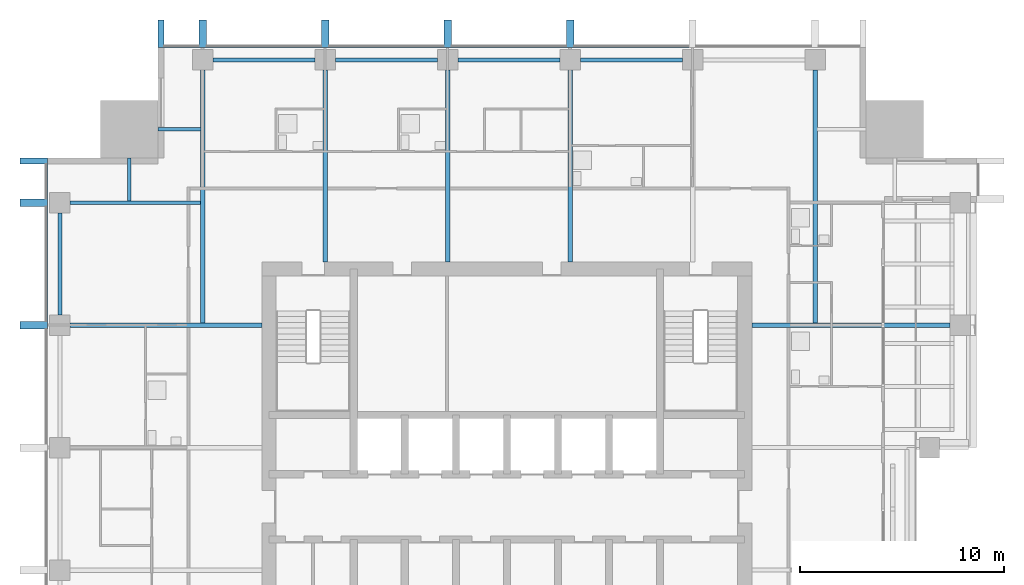
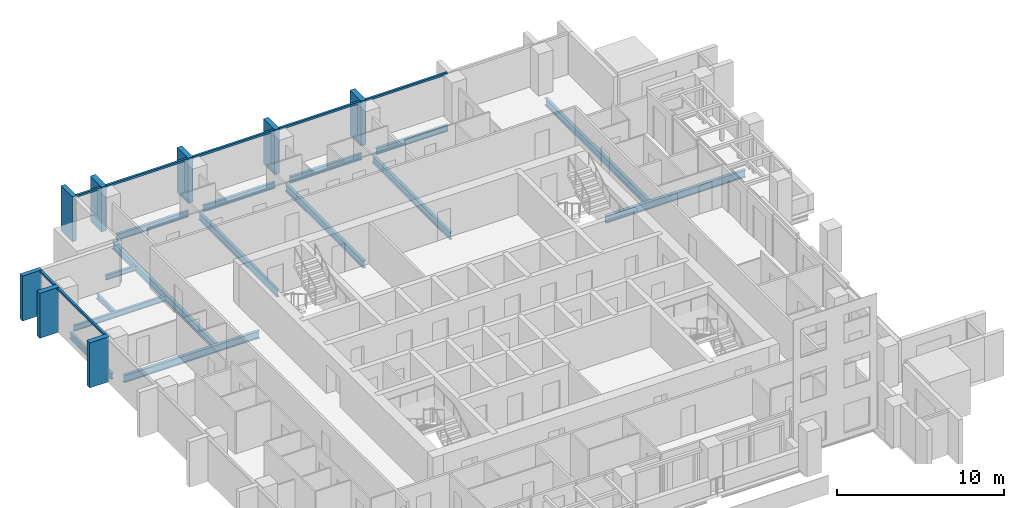
# One storey, part 5 of 16: 15 beams, 15 members, 2 elements without a shape of their own.
"""IFC4 building model written with IfcOpenShell, lengths in metres."""

from ifc_helpers import new_model, si_unit, direction, frame, origin, origin_2d, place, context, subcontext, project, spatial, rectangle, i_section, extrude, material, material_profile, profile_set, type_object, element, aggregate, save


model = new_model("IFC4")

# Units and contexts
model_context = context("Model", 3, precision=1e-05, world=origin(), true_north=direction((0.0, 1.0)))
body_context = subcontext(model_context, "Body", "Model", "MODEL_VIEW")
ifc_project = project(units=[si_unit("LENGTHUNIT", "METRE"), si_unit("AREAUNIT", "SQUARE_METRE"), si_unit("VOLUMEUNIT", "CUBIC_METRE"), si_unit("PLANEANGLEUNIT", "RADIAN"), si_unit("MASSUNIT", "GRAM", prefix="KILO")], contexts=[model_context])

# Site, building, storey
site_placement = place(None, origin())
site = spatial("IfcSite", under=ifc_project, at=site_placement, CompositionType="ELEMENT")
building_placement = place(site_placement, origin())
building = spatial("IfcBuilding", under=site, at=building_placement, Name="Amberfall Residences", CompositionType="ELEMENT")
storey_placement = place(building_placement, frame((0.0, 0.0, 164.800048828125)))
storey = spatial("IfcBuildingStorey", under=building, at=storey_placement, Name="L44", CompositionType="ELEMENT", Elevation=164.800048828125)

# Curtain wall, members
ifc_material_1 = material(Name="Bronze anodised aluminium and glass", Category="aluminium")
curtain_wall_type = type_object("IfcCurtainWallType", Name="Curtain wall CW1 tower unit", PredefinedType="USERDEFINED", material=ifc_material_1)
curtain_wall_1_placement = place(storey_placement, origin())
curtain_wall_1 = element("IfcCurtainWall", 1, at=curtain_wall_1_placement, inside=storey, type_object=curtain_wall_type, Name="Curtain wall L44 N N1", ObjectType="UNITISED CURTAIN WALL", PredefinedType="USERDEFINED")
ifc_material_2 = material(Name="Bronze anodised aluminium", Category="aluminium")
ifc_material_profile_1 = material_profile(ifc_material_2, rectangle(XDim=0.14990234375, YDim=0.14990234375, at=origin_2d()), Name="CW1 transom 150 x 150 bronze")
ifc_profile_set_1 = profile_set([ifc_material_profile_1], Name="Bronze anodised aluminium")
member_type_1 = type_object("IfcMemberType", Name="CW1 transom 150 x 150 bronze", PredefinedType="USERDEFINED", material=ifc_profile_set_1)
member_1_placement = place(storey_placement, frame((83.425048828125, 68.074951171875, 2.974853515625), z_axis=(-1.0, 0.0, 0.0), x_axis=(0.0, -1.0, 0.0)))
member_1 = element("IfcMember", 2, at=member_1_placement, type_object=member_type_1, Name="CW1 transom 3.1", ObjectType="TRANSOM", PredefinedType="USERDEFINED", context=body_context, shape_type="SweptSolid", body=[
    extrude(rectangle(XDim=0.14990234375, YDim=0.14990234375, at=origin_2d()), origin(), (0.0, 0.0, 1.0), 5.650146484375),
])
member_2_placement = place(storey_placement, frame((77.425048828125, 68.074951171875, 2.974853515625), z_axis=(-1.0, 0.0, 0.0), x_axis=(0.0, -1.0, 0.0)))
member_2 = element("IfcMember", 3, at=member_2_placement, type_object=member_type_1, Name="CW1 transom 4.1", ObjectType="TRANSOM", PredefinedType="USERDEFINED", context=body_context, shape_type="SweptSolid", body=[
    extrude(rectangle(XDim=0.14990234375, YDim=0.14990234375, at=origin_2d()), origin(), (0.0, 0.0, 1.0), 5.650146484375),
])
member_3_placement = place(storey_placement, frame((71.425048828125, 68.074951171875, 2.974853515625), z_axis=(-1.0, 0.0, 0.0), x_axis=(0.0, -1.0, 0.0)))
member_3 = element("IfcMember", 4, at=member_3_placement, type_object=member_type_1, Name="CW1 transom 5.1", ObjectType="TRANSOM", PredefinedType="USERDEFINED", context=body_context, shape_type="SweptSolid", body=[
    extrude(rectangle(XDim=0.14990234375, YDim=0.14990234375, at=origin_2d()), origin(), (0.0, 0.0, 1.0), 5.650146484375),
])
member_4_placement = place(storey_placement, frame((65.425048828125, 68.074951171875, 2.974853515625), z_axis=(-1.0, 0.0, 0.0), x_axis=(0.0, -1.0, 0.0)))
member_4 = element("IfcMember", 5, at=member_4_placement, type_object=member_type_1, Name="CW1 transom 6.1", ObjectType="TRANSOM", PredefinedType="USERDEFINED", context=body_context, shape_type="SweptSolid", body=[
    extrude(rectangle(XDim=0.14990234375, YDim=0.14990234375, at=origin_2d()), origin(), (0.0, 0.0, 1.0), 5.650146484375),
])
member_5_placement = place(storey_placement, frame((59.425048828125, 68.074951171875, 2.974853515625), z_axis=(-1.0, 0.0, 0.0), x_axis=(0.0, -1.0, 0.0)))
member_5 = element("IfcMember", 6, at=member_5_placement, type_object=member_type_1, Name="CW1 transom 7.1", ObjectType="TRANSOM", PredefinedType="USERDEFINED", context=body_context, shape_type="SweptSolid", body=[
    extrude(rectangle(XDim=0.14990234375, YDim=0.14990234375, at=origin_2d()), origin(), (0.0, 0.0, 1.0), 1.72509765625),
])

curtain_wall_2_placement = place(storey_placement, origin())
curtain_wall_2 = element("IfcCurtainWall", 7, at=curtain_wall_2_placement, inside=storey, type_object=curtain_wall_type, Name="Curtain wall L44 W W1", ObjectType="UNITISED CURTAIN WALL", PredefinedType="USERDEFINED")
member_6_placement = place(storey_placement, frame((51.925048828125, 62.300048828125, 2.974853515625), z_axis=(0.0, -1.0, 0.0), x_axis=(1.0, 0.0, 0.0)))
member_6 = element("IfcMember", 8, at=member_6_placement, type_object=member_type_1, Name="CW1 transom 1.1", ObjectType="TRANSOM", PredefinedType="USERDEFINED", context=body_context, shape_type="SweptSolid", body=[
    extrude(rectangle(XDim=0.14990234375, YDim=0.14990234375, at=origin_2d()), origin(), (0.0, 0.0, 1.0), 1.72509765625),
])
member_7_placement = place(storey_placement, frame((51.925048828125, 60.22509765625, 2.974853515625), z_axis=(0.0, -1.0, 0.0), x_axis=(1.0, 0.0, 0.0)))
member_7 = element("IfcMember", 9, at=member_7_placement, type_object=member_type_1, Name="CW1 transom 2.1", ObjectType="TRANSOM", PredefinedType="USERDEFINED", context=body_context, shape_type="SweptSolid", body=[
    extrude(rectangle(XDim=0.14990234375, YDim=0.14990234375, at=origin_2d()), origin(), (0.0, 0.0, 1.0), 5.650146484375),
])

# Member
ifc_material_profile_2 = material_profile(ifc_material_2, rectangle(XDim=1.35009765625, YDim=0.300048828125, at=origin_2d()), Name="Corner fin 300 x 1350 bronze")
ifc_profile_set_2 = profile_set([ifc_material_profile_2], Name="Bronze anodised aluminium")
member_type_2 = type_object("IfcMemberType", Name="Corner fin 300 x 1350 bronze", PredefinedType="MULLION", material=ifc_profile_set_2)
member_8_placement = place(storey_placement, frame((57.550048828125, 68.675048828125, -0.25), z_axis=(0.0, 0.0, 1.0), x_axis=(0.0, -1.0, 0.0)))
member_8 = element("IfcMember", 10, at=member_8_placement, type_object=member_type_2, Name="CW FIN 8", PredefinedType="MULLION", context=body_context, shape_type="SweptSolid", body=[
    extrude(rectangle(XDim=1.35009765625, YDim=0.300048828125, at=origin_2d()), origin(), (0.0, 0.0, 1.0), 3.300048828125),
])

member_9_placement = place(storey_placement, frame((51.324951171875, 62.449951171875, -0.25), z_axis=(0.0, 0.0, 1.0), x_axis=(1.0, 0.0, 0.0)))
member_9 = element("IfcMember", 11, at=member_9_placement, type_object=member_type_2, Name="CW FIN 1", PredefinedType="MULLION", context=body_context, shape_type="SweptSolid", body=[
    extrude(rectangle(XDim=1.35009765625, YDim=0.300048828125, at=origin_2d()), origin(), (0.0, 0.0, 1.0), 3.300048828125),
])

# Beams
ifc_material_3 = material(Name="Steel S355", Category="steel")
ifc_material_profile_3 = material_profile(ifc_material_3, i_section(OverallWidth=0.18994140625, OverallDepth=0.453369140625, WebThickness=0.008544921875, FlangeThickness=0.0126953125, FilletRadius=0.01025390625, at=origin_2d()), Name="UB 457x191x67")
ifc_profile_set_3 = profile_set([ifc_material_profile_3], Name="Steel S355")
beam_type_1 = type_object("IfcBeamType", Name="Edge beam UB 457x191x67", PredefinedType="SPANDREL", material=ifc_profile_set_3)
for number, where, z_axis, x_axis, name in (
    (12, (60.10009765625, 67.39990234375, -0.476806640625), (1.0, 0.0, 0.0), (0.0, 1.0, 0.0), "Edge beam B1 L44 26"),
    (13, (66.10009765625, 67.39990234375, -0.476806640625), (1.0, 0.0, 0.0), (0.0, 1.0, 0.0), "Edge beam B1 L44 27"),
    (14, (72.10009765625, 67.39990234375, -0.476806640625), (1.0, 0.0, 0.0), (0.0, 1.0, 0.0), "Edge beam B1 L44 28"),
    (15, (78.10009765625, 67.39990234375, -0.476806640625), (1.0, 0.0, 0.0), (0.0, 1.0, 0.0), "Edge beam B1 L44 29"),
    (16, (52.60009765625, 54.89990234375, -0.476806640625), (0.0, 1.0, 0.0), (-1.0, 0.0, 0.0), "Edge beam B1 L44 41"),
):
    element("IfcBeam", number, at=place(storey_placement, frame(where, z_axis=z_axis, x_axis=x_axis)), inside=storey, type_object=beam_type_1, Name=name, PredefinedType="SPANDREL", context=body_context, shape_type="SweptSolid", body=[
        extrude(i_section(OverallWidth=0.18994140625, OverallDepth=0.453369140625, WebThickness=0.008544921875, FlangeThickness=0.0126953125, FilletRadius=0.01025390625, at=origin_2d()), origin(), (0.0, 0.0, 1.0), 5.0),
    ])

# Member
ifc_material_profile_4 = material_profile(ifc_material_2, rectangle(XDim=1.35009765625, YDim=0.35009765625, at=origin_2d()), Name="Fin 350 x 1350 bronze")
ifc_profile_set_4 = profile_set([ifc_material_profile_4], Name="Bronze anodised aluminium")
member_type_3 = type_object("IfcMemberType", Name="Fin 350 x 1350 bronze", PredefinedType="MULLION", material=ifc_profile_set_4)
member_10_placement = place(storey_placement, frame((77.60009765625, 68.675048828125, -0.25), z_axis=(0.0, 0.0, 1.0), x_axis=(0.0, -1.0, 0.0)))
member_10 = element("IfcMember", 17, at=member_10_placement, type_object=member_type_3, Name="CW FIN 4", PredefinedType="MULLION", context=body_context, shape_type="SweptSolid", body=[
    extrude(rectangle(XDim=1.35009765625, YDim=0.35009765625, at=origin_2d()), origin(), (0.0, 0.0, 1.0), 3.300048828125),
])

member_11_placement = place(storey_placement, frame((71.60009765625, 68.675048828125, -0.25), z_axis=(0.0, 0.0, 1.0), x_axis=(0.0, -1.0, 0.0)))
member_11 = element("IfcMember", 18, at=member_11_placement, type_object=member_type_3, Name="CW FIN 5", PredefinedType="MULLION", context=body_context, shape_type="SweptSolid", body=[
    extrude(rectangle(XDim=1.35009765625, YDim=0.35009765625, at=origin_2d()), origin(), (0.0, 0.0, 1.0), 3.300048828125),
])

member_12_placement = place(storey_placement, frame((65.60009765625, 68.675048828125, -0.25), z_axis=(0.0, 0.0, 1.0), x_axis=(0.0, -1.0, 0.0)))
member_12 = element("IfcMember", 19, at=member_12_placement, type_object=member_type_3, Name="CW FIN 6", PredefinedType="MULLION", context=body_context, shape_type="SweptSolid", body=[
    extrude(rectangle(XDim=1.35009765625, YDim=0.35009765625, at=origin_2d()), origin(), (0.0, 0.0, 1.0), 3.300048828125),
])

member_13_placement = place(storey_placement, frame((59.60009765625, 68.675048828125, -0.25), z_axis=(0.0, 0.0, 1.0), x_axis=(0.0, -1.0, 0.0)))
member_13 = element("IfcMember", 20, at=member_13_placement, type_object=member_type_3, Name="CW FIN 7", PredefinedType="MULLION", context=body_context, shape_type="SweptSolid", body=[
    extrude(rectangle(XDim=1.35009765625, YDim=0.35009765625, at=origin_2d()), origin(), (0.0, 0.0, 1.0), 3.300048828125),
])

aggregate(curtain_wall_1, [member_10, member_11, member_12, member_13, member_8, member_1, member_2, member_3, member_4, member_5])

member_14_placement = place(storey_placement, frame((51.324951171875, 60.39990234375, -0.25), z_axis=(0.0, 0.0, 1.0), x_axis=(1.0, 0.0, 0.0)))
member_14 = element("IfcMember", 21, at=member_14_placement, type_object=member_type_3, Name="CW FIN 2", PredefinedType="MULLION", context=body_context, shape_type="SweptSolid", body=[
    extrude(rectangle(XDim=1.35009765625, YDim=0.35009765625, at=origin_2d()), origin(), (0.0, 0.0, 1.0), 3.300048828125),
])

member_15_placement = place(storey_placement, frame((51.324951171875, 54.39990234375, -0.25), z_axis=(0.0, 0.0, 1.0), x_axis=(1.0, 0.0, 0.0)))
member_15 = element("IfcMember", 22, at=member_15_placement, type_object=member_type_3, Name="CW FIN 3", PredefinedType="MULLION", context=body_context, shape_type="SweptSolid", body=[
    extrude(rectangle(XDim=1.35009765625, YDim=0.35009765625, at=origin_2d()), origin(), (0.0, 0.0, 1.0), 3.300048828125),
])

aggregate(curtain_wall_2, [member_9, member_14, member_15, member_6, member_7])

# Beams
ifc_material_profile_5 = material_profile(ifc_material_3, i_section(OverallWidth=0.177734375, OverallDepth=0.402587890625, WebThickness=0.0078125, FlangeThickness=0.010986328125, FilletRadius=0.01025390625, at=origin_2d()), Name="UB 406x178x54")
ifc_profile_set_5 = profile_set([ifc_material_profile_5], Name="Steel S355")
beam_type_2 = type_object("IfcBeamType", Name="Floor girder UB 406x178x54", PredefinedType="BEAM", material=ifc_profile_set_5)
beam_1_placement = place(storey_placement, frame((53.10009765625, 60.39990234375, -0.451416015625), z_axis=(1.0, 0.0, 0.0), x_axis=(0.0, 1.0, 0.0)))
element("IfcBeam", 23, at=beam_1_placement, inside=storey, type_object=beam_type_2, Name="Floor girder B4 L44 47", PredefinedType="BEAM", context=body_context, shape_type="SweptSolid", body=[
    extrude(i_section(OverallWidth=0.177734375, OverallDepth=0.402587890625, WebThickness=0.0078125, FlangeThickness=0.010986328125, FilletRadius=0.01025390625, at=origin_2d()), origin(), (0.0, 0.0, 1.0), 6.3798828125),
])
ifc_material_profile_6 = material_profile(ifc_material_3, i_section(OverallWidth=0.210693359375, OverallDepth=0.53955078125, WebThickness=0.01171875, FlangeThickness=0.018798828125, FilletRadius=0.0126953125, at=origin_2d()), Name="UB 533x210x109")
ifc_profile_set_6 = profile_set([ifc_material_profile_6], Name="Steel S355")
beam_type_3 = type_object("IfcBeamType", Name="Floor girder UB 533x210x109", PredefinedType="BEAM", material=ifc_profile_set_6)
for number, where, z_axis, x_axis, name in (
    (24, (59.60009765625, 66.89990234375, -0.519775390625), (0.0, -1.0, 0.0), (1.0, 0.0, 0.0), "Floor girder B2 L44 31"),
    (25, (89.60009765625, 66.89990234375, -0.519775390625), (0.0, -1.0, 0.0), (1.0, 0.0, 0.0), "Floor girder B2 L44 36"),
):
    element("IfcBeam", number, at=place(storey_placement, frame(where, z_axis=z_axis, x_axis=x_axis)), inside=storey, type_object=beam_type_3, Name=name, PredefinedType="BEAM", context=body_context, shape_type="SweptSolid", body=[
        extrude(i_section(OverallWidth=0.210693359375, OverallDepth=0.53955078125, WebThickness=0.01171875, FlangeThickness=0.018798828125, FilletRadius=0.0126953125, at=origin_2d()), origin(), (0.0, 0.0, 1.0), 12.400390625),
    ])
ifc_material_profile_7 = material_profile(ifc_material_3, i_section(OverallWidth=0.209228515625, OverallDepth=0.533203125, WebThickness=0.010009765625, FlangeThickness=0.015625, FilletRadius=0.0126953125, at=origin_2d()), Name="UB 533x210x92")
ifc_profile_set_7 = profile_set([ifc_material_profile_7], Name="Steel S355")
beam_type_4 = type_object("IfcBeamType", Name="Floor girder UB 533x210x92", PredefinedType="BEAM", material=ifc_profile_set_7)
beam_2_placement = place(storey_placement, frame((96.199951171875, 54.39990234375, -0.5166015625), z_axis=(-1.0, 0.0, 0.0), x_axis=(0.0, -1.0, 0.0)))
element("IfcBeam", 26, at=beam_2_placement, inside=storey, type_object=beam_type_4, Name="Floor girder B3 L44 24", PredefinedType="BEAM", context=body_context, shape_type="SweptSolid", body=[
    extrude(i_section(OverallWidth=0.209228515625, OverallDepth=0.533203125, WebThickness=0.010009765625, FlangeThickness=0.015625, FilletRadius=0.0126953125, at=origin_2d()), origin(), (0.0, 0.0, 1.0), 9.699951171875),
])
for number, where, z_axis, x_axis, name in (
    (27, (65.60009765625, 66.89990234375, -0.5166015625), (0.0, -1.0, 0.0), (1.0, 0.0, 0.0), "Floor girder B3 L44 32"),
    (28, (71.60009765625, 66.89990234375, -0.5166015625), (0.0, -1.0, 0.0), (1.0, 0.0, 0.0), "Floor girder B3 L44 33"),
    (29, (77.60009765625, 66.89990234375, -0.5166015625), (0.0, -1.0, 0.0), (1.0, 0.0, 0.0), "Floor girder B3 L44 34"),
    (30, (53.10009765625, 54.39990234375, -0.5166015625), (1.0, 0.0, 0.0), (0.0, 1.0, 0.0), "Floor girder B3 L44 46"),
):
    element("IfcBeam", number, at=place(storey_placement, frame(where, z_axis=z_axis, x_axis=x_axis)), inside=storey, type_object=beam_type_4, Name=name, PredefinedType="BEAM", context=body_context, shape_type="SweptSolid", body=[
        extrude(i_section(OverallWidth=0.209228515625, OverallDepth=0.533203125, WebThickness=0.010009765625, FlangeThickness=0.015625, FilletRadius=0.0126953125, at=origin_2d()), origin(), (0.0, 0.0, 1.0), 9.39990234375),
    ])
ifc_material_profile_8 = material_profile(ifc_material_3, i_section(OverallWidth=0.171142578125, OverallDepth=0.351318359375, WebThickness=0.007080078125, FlangeThickness=0.009765625, FilletRadius=0.01025390625, at=origin_2d()), Name="UB 356x171x45")
ifc_profile_set_8 = profile_set([ifc_material_profile_8], Name="Steel S355")
beam_type_5 = type_object("IfcBeamType", Name="Link beam UB 356x171x45", PredefinedType="BEAM", material=ifc_profile_set_8)
beam_3_placement = place(storey_placement, frame((57.39990234375, 64.0, -0.42578125), z_axis=(1.0, 0.0, 0.0), x_axis=(0.0, 1.0, 0.0)))
element("IfcBeam", 31, at=beam_3_placement, inside=storey, type_object=beam_type_5, Name="Link beam B7 L44 54", PredefinedType="BEAM", context=body_context, shape_type="SweptSolid", body=[
    extrude(i_section(OverallWidth=0.171142578125, OverallDepth=0.351318359375, WebThickness=0.007080078125, FlangeThickness=0.009765625, FilletRadius=0.01025390625, at=origin_2d()), origin(), (0.0, 0.0, 1.0), 2.104736328125),
])
beam_4_placement = place(storey_placement, frame((56.0, 62.60009765625, -0.42578125), z_axis=(0.0, -1.0, 0.0), x_axis=(1.0, 0.0, 0.0)))
element("IfcBeam", 32, at=beam_4_placement, inside=storey, type_object=beam_type_5, Name="Link beam B7 L44 55", PredefinedType="BEAM", context=body_context, shape_type="SweptSolid", body=[
    extrude(i_section(OverallWidth=0.171142578125, OverallDepth=0.351318359375, WebThickness=0.007080078125, FlangeThickness=0.009765625, FilletRadius=0.01025390625, at=origin_2d()), origin(), (0.0, 0.0, 1.0), 2.12109375),
])

save(model, "model.ifc")
